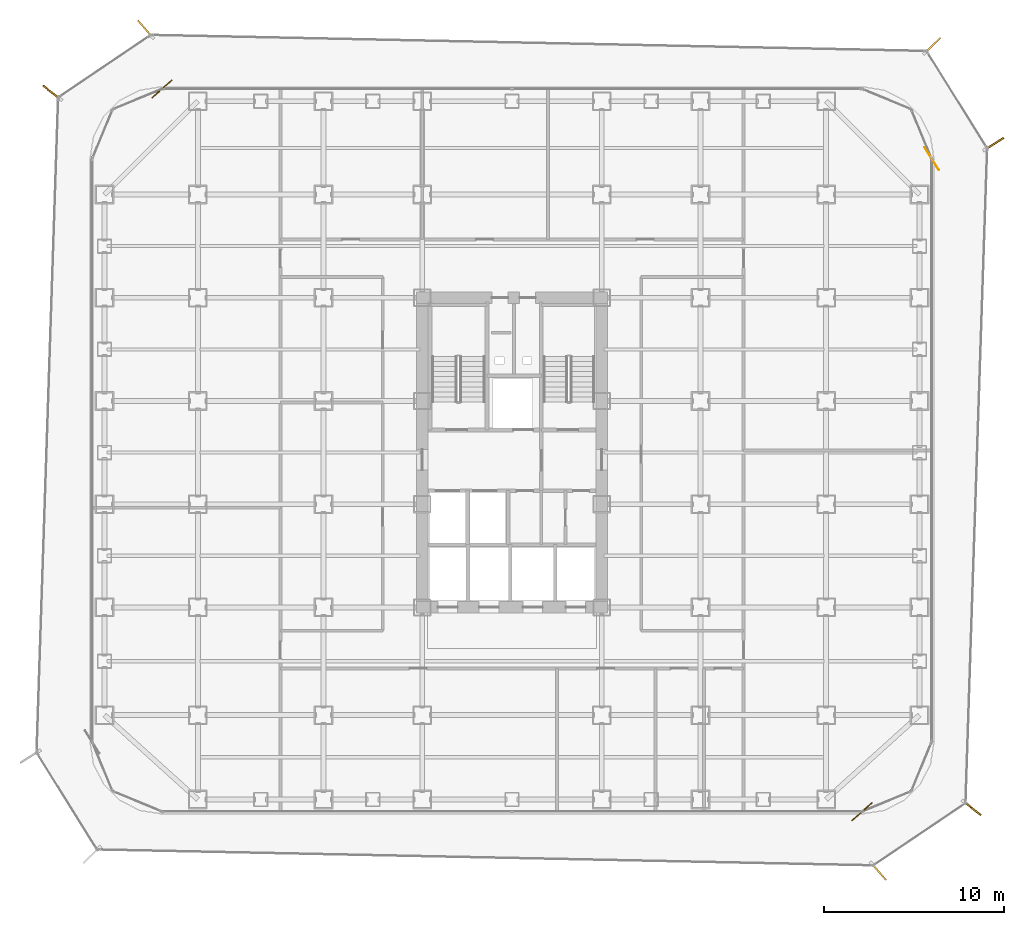
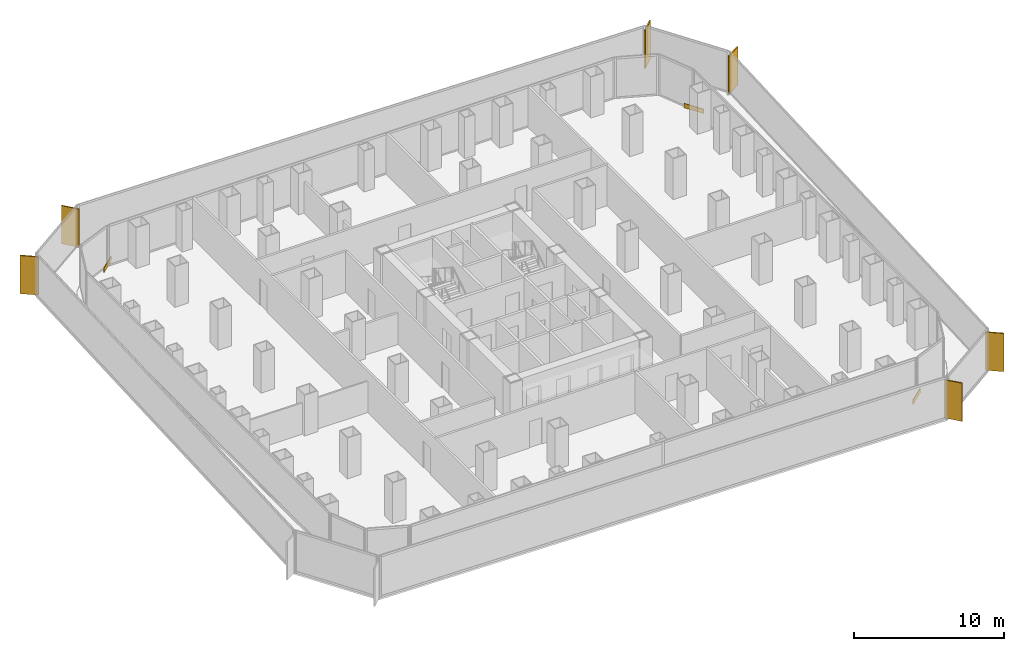
# One storey, part 21 of 21: 6 shading devices, 3 coverings.
"""IFC4 building model written with IfcOpenShell, lengths in metres."""

from ifc_helpers import new_model, si_unit, direction, frame, origin, origin_2d, place, context, subcontext, project, spatial, rectangle, extrude, source, transform, mapped, material, layer, layer_set, type_object, element, save


model = new_model("IFC4")

# Units and contexts
model_context = context("Model", 3, precision=1e-05, world=origin(), true_north=direction((0.0, 1.0)))
body_context = subcontext(model_context, "Body", "Model", "MODEL_VIEW")
ifc_project = project(units=[si_unit("LENGTHUNIT", "METRE"), si_unit("AREAUNIT", "SQUARE_METRE"), si_unit("VOLUMEUNIT", "CUBIC_METRE"), si_unit("PLANEANGLEUNIT", "RADIAN"), si_unit("MASSUNIT", "GRAM", prefix="KILO")], contexts=[model_context])

# Site, building, storey
site_placement = place(None, origin())
site = spatial("IfcSite", under=ifc_project, at=site_placement, CompositionType="ELEMENT")
building_placement = place(site_placement, origin())
building = spatial("IfcBuilding", under=site, at=building_placement, Name="Kolveth Station Tower", CompositionType="ELEMENT")
storey_placement = place(building_placement, frame((0.0, 0.0, 47.699951171875)))
storey = spatial("IfcBuildingStorey", under=building, at=storey_placement, Name="L12", CompositionType="ELEMENT", Elevation=47.699951171875)

# Shading devices
ifc_material_1 = material(Name="Black anodized aluminium 6063-T6", Category="aluminium")
shading_device_type = type_object("IfcShadingDeviceType", Name="FIN_VF1", PredefinedType="USERDEFINED", material=ifc_material_1)
shared_shape_1 = source(origin(), body_context, "Body", "SweptSolid", [
    extrude(rectangle(XDim=1.25, YDim=0.090087890625, at=origin_2d()), origin(), (0.0, 0.0, 1.0), 3.10009765625),
])
for number, where, z_axis, x_axis, name in (
    (1, (43.925048828125, -3.216064453125, 0.0), (0.0, 0.0, 1.0), (0.656585755753, -0.754251380736, 0.0), "L12 Dark-Aluminium Solar Fin 1"),
    (2, (49.125, 0.321044921875, 0.0), (0.0, 0.0, 1.0), (0.789405615633, -0.613871952452, 0.0), "L12 Dark-Aluminium Solar Fin 2"),
    (3, (50.35693359375, 37.324951171875, 0.0), (0.0, 0.0, 1.0), (0.843860006976, 0.536563405971, 0.0), "L12 Dark-Aluminium Solar Fin 3"),
    (4, (46.926025390625, 42.801025390625, 0.0), (0.0, 0.0, 1.0), (0.720430079257, 0.693527577607, 0.0), "L12 Dark-Aluminium Solar Fin 4"),
    (5, (3.073974609375, 43.721923828125, 0.0), (0.0, 0.0, 1.0), (-0.656454104053, 0.75436596508, 0.0), "L12 Dark-Aluminium Solar Fin 5"),
    (6, (-2.1298828125, 40.180908203125, 0.0), (0.0, 0.0, 1.0), (-0.789405615633, 0.613871952452, 0.0), "L12 Dark-Aluminium Solar Fin 6"),
):
    element("IfcShadingDevice", number, at=place(storey_placement, frame(where, z_axis=z_axis, x_axis=x_axis)), inside=storey, type_object=shading_device_type, Name=name, ObjectType="FIN", PredefinedType="USERDEFINED", context=body_context, shape_type="MappedRepresentation", body=[
        mapped(shared_shape_1, transform((0.0, 0.0, 0.0), x_axis=(1.0, 0.0, 0.0), y_axis=(0.0, 1.0, 0.0), z_axis=(0.0, 0.0, 1.0), scale=1.0)),
    ])

# Coverings
ifc_material_2 = material(Name="Charcoal anodized aluminium spandrel cladding", Category="aluminium")
ifc_layer = layer(ifc_material_2, 0.044921875)
ifc_layer_set = layer_set([ifc_layer], Name="Charcoal anodized aluminium spandrel cladding")
covering_type = type_object("IfcCoveringType", Name="Clad_CD1", PredefinedType="CLADDING", material=ifc_layer_set)
shared_shape_2 = source(origin(), body_context, "Body", "SweptSolid", [
    extrude(rectangle(XDim=1.5, YDim=0.044921875, at=origin_2d()), origin(), (0.0, 0.0, 1.0), 0.360107421875),
])
for number, where, z_axis, x_axis, name in (
    (7, (43.0, 0.1201171875, 0.0), (0.0, 0.0, 1.0), (0.754251380736, 0.656585755753, 0.0), "L12 Spandrel Edge Cladding 1"),
    (8, (46.8798828125, 36.5, 0.0), (0.0, 0.0, 1.0), (-0.536563405971, 0.843860006976, 0.0), "L12 Spandrel Edge Cladding 3"),
    (9, (4.0, 40.3798828125, 0.0), (0.0, 0.0, 1.0), (-0.75436596508, -0.656454104053, 0.0), "L12 Spandrel Edge Cladding 5"),
):
    element("IfcCovering", number, at=place(storey_placement, frame(where, z_axis=z_axis, x_axis=x_axis)), inside=storey, type_object=covering_type, Name=name, PredefinedType="CLADDING", context=body_context, shape_type="MappedRepresentation", body=[
        mapped(shared_shape_2, transform((0.0, 0.0, 0.0), x_axis=(1.0, 0.0, 0.0), y_axis=(0.0, 1.0, 0.0), z_axis=(0.0, 0.0, 1.0), scale=1.0)),
    ])

save(model, "model.ifc")
